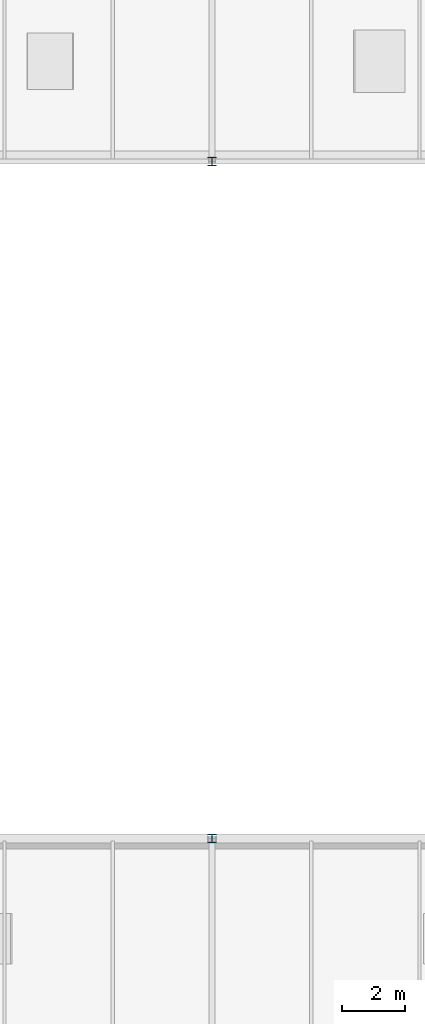
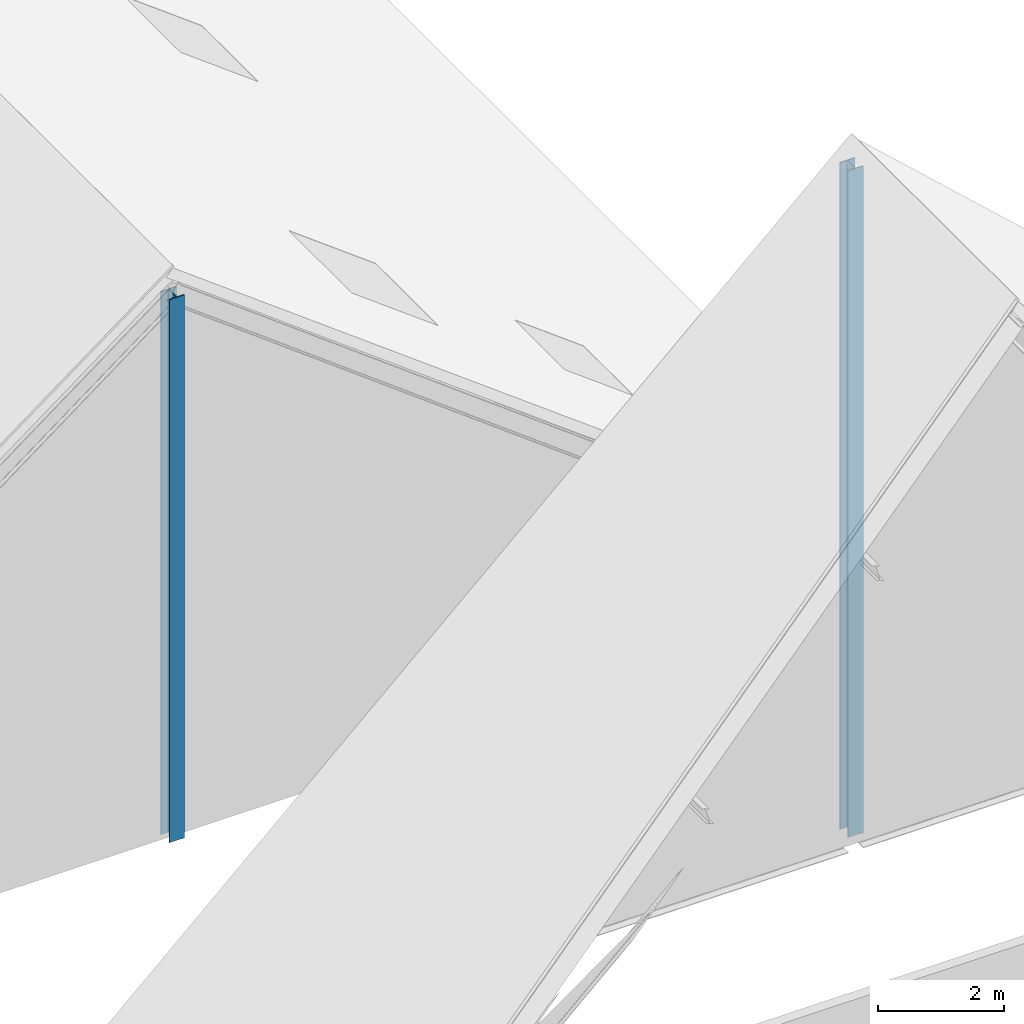
# One storey, part 3 of 35: 2 columns.
"""IFC4 building model written with IfcOpenShell, lengths in metres."""

from ifc_helpers import new_model, si_unit, direction, frame, origin, origin_2d, place, context, subcontext, project, spatial, i_section, extrude, material, material_profile, profile_set, type_object, element, save


model = new_model("IFC4")

# Units and contexts
model_context = context("Model", 3, precision=1e-05, world=origin(), true_north=direction((0.0, 1.0)))
body_context = subcontext(model_context, "Body", "Model", "MODEL_VIEW")
ifc_project = project(units=[si_unit("LENGTHUNIT", "METRE"), si_unit("AREAUNIT", "SQUARE_METRE"), si_unit("VOLUMEUNIT", "CUBIC_METRE"), si_unit("PLANEANGLEUNIT", "RADIAN"), si_unit("MASSUNIT", "GRAM", prefix="KILO")], contexts=[model_context])

# Site, building, storey
site_placement = place(None, origin())
site = spatial("IfcSite", under=ifc_project, at=site_placement, CompositionType="ELEMENT")
building_placement = place(site_placement, origin())
building = spatial("IfcBuilding", under=site, at=building_placement, Name="Zarrinpeak Specialist Clinic", CompositionType="ELEMENT")
storey_placement = place(building_placement, frame((0.0, 0.0, 31.60009765625)))
storey = spatial("IfcBuildingStorey", under=building, at=storey_placement, Name="RF", CompositionType="ELEMENT", Elevation=31.60009765625)

# Columns
ifc_material = material(Name="Steel S355", Category="steel")
ifc_material_profile = material_profile(ifc_material, i_section(OverallWidth=0.280029296875, OverallDepth=0.280029296875, WebThickness=0.010498046875, FlangeThickness=0.01806640625, FilletRadius=0.02392578125, at=origin_2d()), Name="HEB 280")
ifc_profile_set = profile_set([ifc_material_profile], Name="Steel S355")
column_type = type_object("IfcColumnType", Name="COL-HEB280", PredefinedType="COLUMN", material=ifc_profile_set)
column_1_placement = place(storey_placement, frame((14.39990234375, 36.0, 0.0), z_axis=(0.0, 0.0, 1.0), x_axis=(1.0, 0.0, 0.0)))
element("IfcColumn", 1, at=column_1_placement, inside=storey, type_object=column_type, Name="RF Gable Ridge Column V1 Y=36.0", PredefinedType="COLUMN", context=body_context, shape_type="SweptSolid", body=[
    extrude(i_section(OverallWidth=0.280029296875, OverallDepth=0.280029296875, WebThickness=0.010498046875, FlangeThickness=0.01806640625, FilletRadius=0.02392578125, at=origin_2d()), origin(), (0.0, 0.0, 1.0), 12.949951171875),
])
column_2_placement = place(storey_placement, frame((14.39990234375, 57.60009765625, -13.2001953125), z_axis=(0.0, 0.0, 1.0), x_axis=(1.0, 0.0, 0.0)))
element("IfcColumn", 2, at=column_2_placement, inside=storey, type_object=column_type, Name="RF Gable Ridge Column V5 Y=57.6", PredefinedType="COLUMN", context=body_context, shape_type="SweptSolid", body=[
    extrude(i_section(OverallWidth=0.280029296875, OverallDepth=0.280029296875, WebThickness=0.010498046875, FlangeThickness=0.01806640625, FilletRadius=0.02392578125, at=origin_2d()), origin(), (0.0, 0.0, 1.0), 10.550048828125),
])

save(model, "model.ifc")
